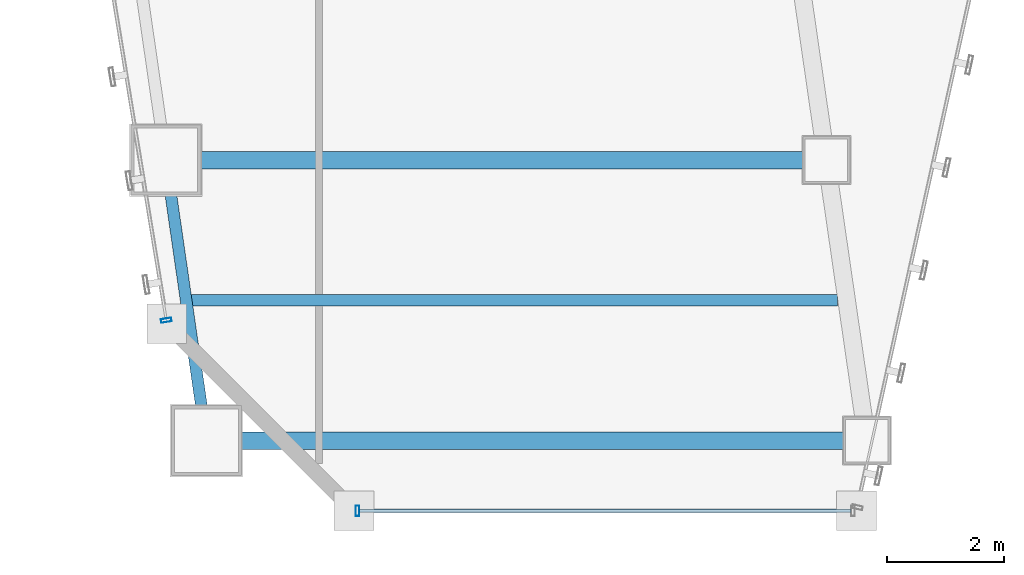
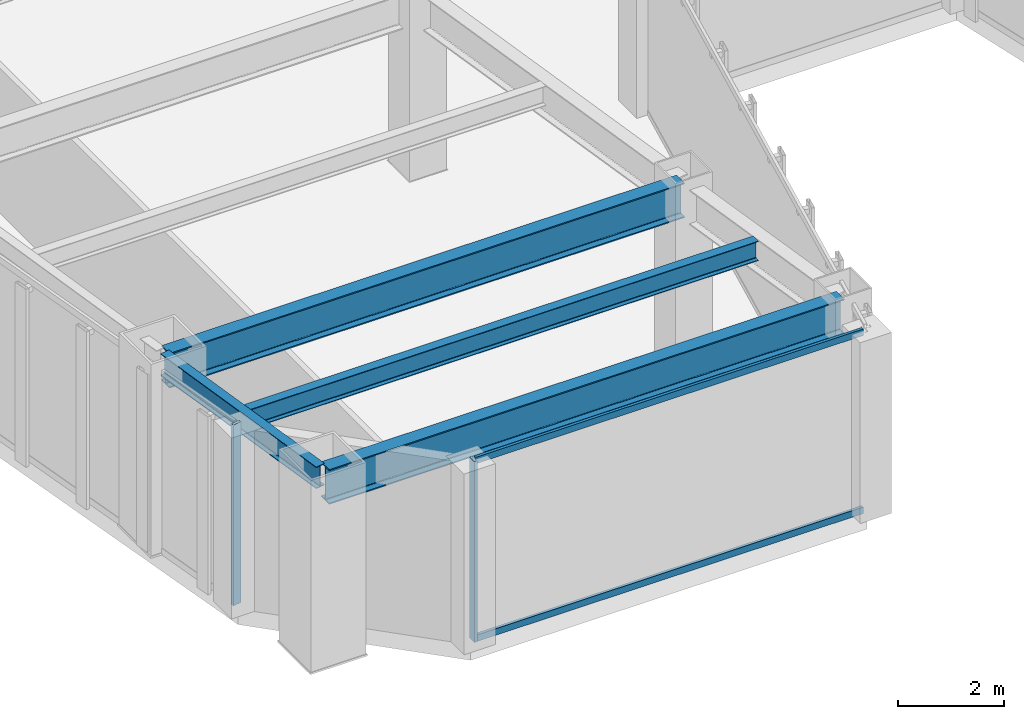
# One storey, part 4 of 49: 4 beams, 4 members, 2 elements without a shape of their own.
"""IFC4 building model written with IfcOpenShell, lengths in metres."""

from ifc_helpers import new_model, si_unit, direction, frame, origin, origin_2d, place, context, subcontext, project, spatial, hollow_rectangle, i_section, extrude, material, material_profile, profile_set, type_object, element, aggregate, save


model = new_model("IFC4")

# Units and contexts
model_context = context("Model", 3, precision=1e-05, world=origin(), true_north=direction((0.0, 1.0)))
body_context = subcontext(model_context, "Body", "Model", "MODEL_VIEW")
ifc_project = project(units=[si_unit("LENGTHUNIT", "METRE"), si_unit("AREAUNIT", "SQUARE_METRE"), si_unit("VOLUMEUNIT", "CUBIC_METRE"), si_unit("PLANEANGLEUNIT", "RADIAN"), si_unit("MASSUNIT", "GRAM", prefix="KILO")], contexts=[model_context])

# Site, building, storey
site_placement = place(None, origin())
site = spatial("IfcSite", under=ifc_project, at=site_placement, CompositionType="ELEMENT")
building_placement = place(site_placement, origin())
building = spatial("IfcBuilding", under=site, at=building_placement, Name="Saevonmaru Cultural Tower", CompositionType="ELEMENT")
storey_placement = place(building_placement, frame((0.0, 0.0, 38.39990234375)))
storey = spatial("IfcBuildingStorey", under=building, at=storey_placement, Name="L07", CompositionType="ELEMENT", Elevation=38.39990234375)

# Beams
ifc_material_1 = material(Name="Steel SM420", Category="steel")
ifc_material_profile_1 = material_profile(ifc_material_1, i_section(OverallWidth=0.300048828125, OverallDepth=0.800048828125, WebThickness=0.013916015625, FlangeThickness=0.02587890625, FilletRadius=0.028076171875, at=origin_2d()), Name="H-800x300x14x26")
ifc_profile_set_1 = profile_set([ifc_material_profile_1], Name="Steel SM420")
beam_type_1 = type_object("IfcBeamType", Name="BM-G-H800", PredefinedType="BEAM", material=ifc_profile_set_1)
for number, where, z_axis, x_axis, name in (
    (1, (12.537109375, 3.199951171875, 3.75), (1.0, 0.0, 0.0), (0.0, 1.0, 0.0), "L07 West Wing Transverse Girder 1"),
    (2, (11.843017578125, 8.0, 3.75), (1.0, 0.0, 0.0), (0.0, 1.0, 0.0), "L07 West Wing Transverse Girder 2"),
):
    element("IfcBeam", number, at=place(storey_placement, frame(where, z_axis=z_axis, x_axis=x_axis)), inside=storey, type_object=beam_type_1, Name=name, PredefinedType="BEAM", context=body_context, shape_type="SweptSolid", body=[
        extrude(i_section(OverallWidth=0.300048828125, OverallDepth=0.800048828125, WebThickness=0.013916015625, FlangeThickness=0.02587890625, FilletRadius=0.028076171875, at=origin_2d()), origin(), (0.0, 0.0, 1.0), 11.179931640625),
    ])
ifc_material_2 = material(Name="Steel SM355", Category="steel")
ifc_material_profile_2 = material_profile(ifc_material_2, i_section(OverallWidth=0.199951171875, OverallDepth=0.449951171875, WebThickness=0.009033203125, FlangeThickness=0.013916015625, FilletRadius=0.01806640625, at=origin_2d()), Name="H-450x200x9x14")
ifc_profile_set_2 = profile_set([ifc_material_profile_2], Name="Steel SM355")
beam_type_2 = type_object("IfcBeamType", Name="BM-J-H450", PredefinedType="JOIST", material=ifc_profile_set_2)
beam_1_placement = place(storey_placement, frame((12.18994140625, 5.60009765625, 3.925048828125), z_axis=(1.0, 0.0, 0.0), x_axis=(0.0, 1.0, 0.0)))
element("IfcBeam", 3, at=beam_1_placement, inside=storey, type_object=beam_type_2, Name="L07 West Wing Floor Joist 1", PredefinedType="JOIST", context=body_context, shape_type="SweptSolid", body=[
    extrude(i_section(OverallWidth=0.199951171875, OverallDepth=0.449951171875, WebThickness=0.009033203125, FlangeThickness=0.013916015625, FilletRadius=0.01806640625, at=origin_2d()), origin(), (0.0, 0.0, 1.0), 11.08203125),
])
ifc_material_profile_3 = material_profile(ifc_material_2, i_section(OverallWidth=0.199951171875, OverallDepth=0.5, WebThickness=0.010009765625, FlangeThickness=0.01611328125, FilletRadius=0.02001953125, at=origin_2d()), Name="H-500x200x10x16")
ifc_profile_set_3 = profile_set([ifc_material_profile_3], Name="Steel SM355")
beam_type_3 = type_object("IfcBeamType", Name="BM-SP-H500", PredefinedType="SPANDREL", material=ifc_profile_set_3)
beam_2_placement = place(storey_placement, frame((12.468505859375, 3.259521484375, 3.900146484375), z_axis=(-0.14313379491, 0.989703347855, 0.0), x_axis=(-0.989703347855, -0.14313379491, 0.0)))
element("IfcBeam", 4, at=beam_2_placement, inside=storey, type_object=beam_type_3, Name="L07 West Splayed Spandrel 1", PredefinedType="SPANDREL", context=body_context, shape_type="SweptSolid", body=[
    extrude(i_section(OverallWidth=0.199951171875, OverallDepth=0.5, WebThickness=0.010009765625, FlangeThickness=0.01611328125, FilletRadius=0.02001953125, at=origin_2d()), origin(), (0.0, 0.0, 1.0), 4.729736328125),
])

# Curtain wall, member
ifc_material_3 = material(Name="Satin Bronze Anodised Aluminium", Category="aluminium")
curtain_wall_type = type_object("IfcCurtainWallType", Name="CW-TYP-A", PredefinedType="NOTDEFINED", material=ifc_material_3)
curtain_wall_1_placement = place(storey_placement, origin())
curtain_wall_1 = element("IfcCurtainWall", 5, at=curtain_wall_1_placement, inside=storey, type_object=curtain_wall_type, Name="L07 Unitised Curtain Wall E2", PredefinedType="NOTDEFINED")
ifc_material_profile_4 = material_profile(ifc_material_3, hollow_rectangle(XDim=0.06494140625, YDim=0.179931640625, WallThickness=0.00390625, at=origin_2d()), Name="ALU-MULL-180x65x4")
ifc_profile_set_4 = profile_set([ifc_material_profile_4], Name="Satin Bronze Anodised Aluminium")
member_type_1 = type_object("IfcMemberType", Name="ML-CW-180x65", PredefinedType="MULLION", material=ifc_profile_set_4)
member_1_placement = place(storey_placement, frame((15.06005859375, 2.0, 0.0), z_axis=(0.0, 0.0, 1.0), x_axis=(1.0, 0.0, 0.0)))
member_1 = element("IfcMember", 6, at=member_1_placement, type_object=member_type_1, Name="CW-TW-L07-E2 mullion 1", PredefinedType="MULLION", context=body_context, shape_type="SweptSolid", body=[
    extrude(hollow_rectangle(XDim=0.06494140625, YDim=0.179931640625, WallThickness=0.00390625, at=origin_2d()), origin(), (0.0, 0.0, 1.0), 4.150146484375),
])

curtain_wall_2_placement = place(storey_placement, origin())
curtain_wall_2 = element("IfcCurtainWall", 7, at=curtain_wall_2_placement, inside=storey, type_object=curtain_wall_type, Name="L07 Unitised Curtain Wall E12", PredefinedType="NOTDEFINED")
member_2_placement = place(storey_placement, frame((11.790283203125, 5.25927734375, 0.0), z_axis=(0.0, 0.0, 1.0), x_axis=(0.161708868641, -0.986838508472, 0.0)))
member_2 = element("IfcMember", 8, at=member_2_placement, type_object=member_type_1, Name="CW-TW-L07-E12 mullion 5", PredefinedType="MULLION", context=body_context, shape_type="SweptSolid", body=[
    extrude(hollow_rectangle(XDim=0.06494140625, YDim=0.179931640625, WallThickness=0.00390625, at=origin_2d()), origin(), (0.0, 0.0, 1.0), 4.150146484375),
])
aggregate(curtain_wall_2, [member_2])

# Member
ifc_material_profile_5 = material_profile(ifc_material_3, hollow_rectangle(XDim=0.06494140625, YDim=0.14990234375, WallThickness=0.00390625, at=origin_2d()), Name="ALU-TRAN-150x65x4")
ifc_profile_set_5 = profile_set([ifc_material_profile_5], Name="Satin Bronze Anodised Aluminium")
member_type_2 = type_object("IfcMemberType", Name="TR-CW-150x65", PredefinedType="USERDEFINED", material=ifc_profile_set_5)
member_3_placement = place(storey_placement, frame((15.092529296875, 2.0, 0.03271484375), z_axis=(1.0, 0.0, 0.0), x_axis=(0.0, 1.0, 0.0)))
member_3 = element("IfcMember", 9, at=member_3_placement, type_object=member_type_2, Name="CW-TW-L07-E2 transom 1.1", ObjectType="TRANSOM", PredefinedType="USERDEFINED", context=body_context, shape_type="SweptSolid", body=[
    extrude(hollow_rectangle(XDim=0.06494140625, YDim=0.14990234375, WallThickness=0.00390625, at=origin_2d()), origin(), (0.0, 0.0, 1.0), 8.4150390625),
])

member_4_placement = place(storey_placement, frame((15.092529296875, 2.0, 4.11767578125), z_axis=(1.0, 0.0, 0.0), x_axis=(0.0, 1.0, 0.0)))
member_4 = element("IfcMember", 10, at=member_4_placement, type_object=member_type_2, Name="CW-TW-L07-E2 transom 1.2", ObjectType="TRANSOM", PredefinedType="USERDEFINED", context=body_context, shape_type="SweptSolid", body=[
    extrude(hollow_rectangle(XDim=0.06494140625, YDim=0.14990234375, WallThickness=0.00390625, at=origin_2d()), origin(), (0.0, 0.0, 1.0), 8.4150390625),
])

aggregate(curtain_wall_1, [member_1, member_3, member_4])

save(model, "model.ifc")
